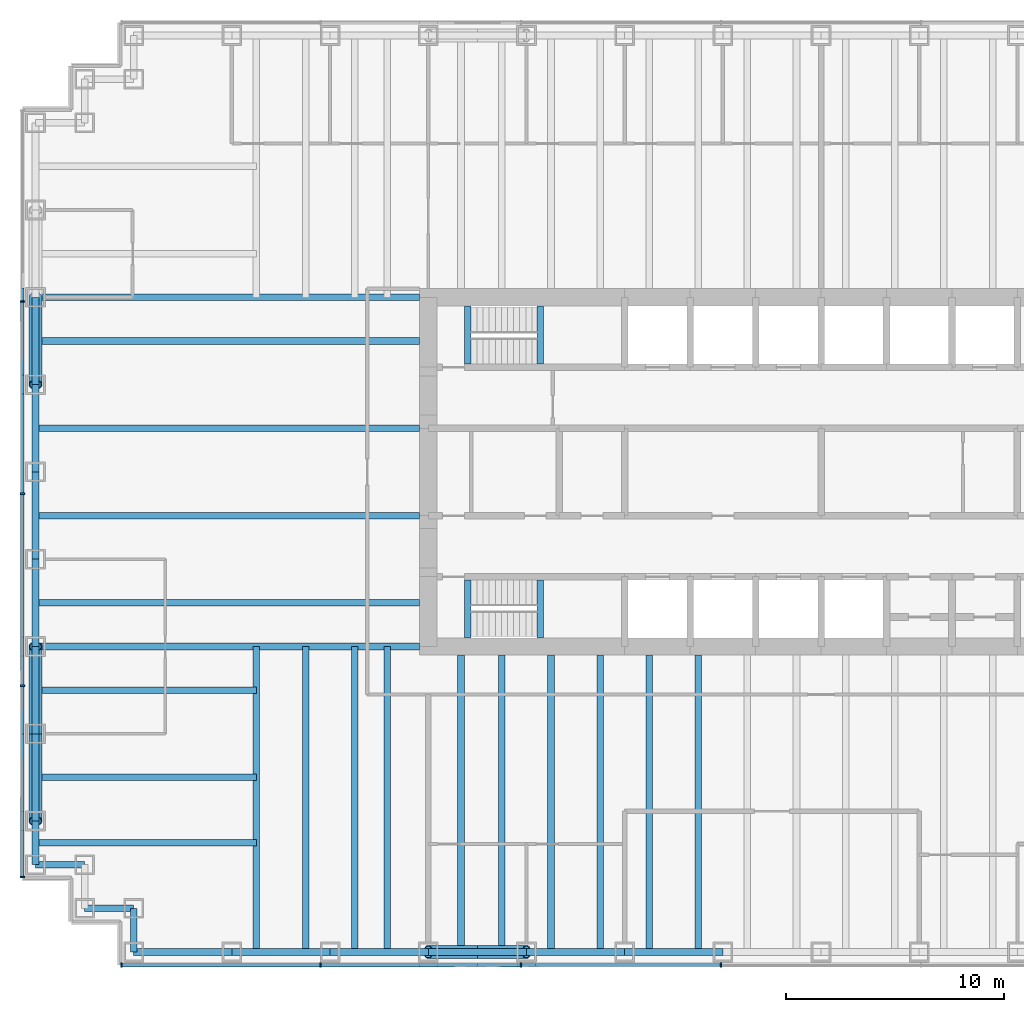
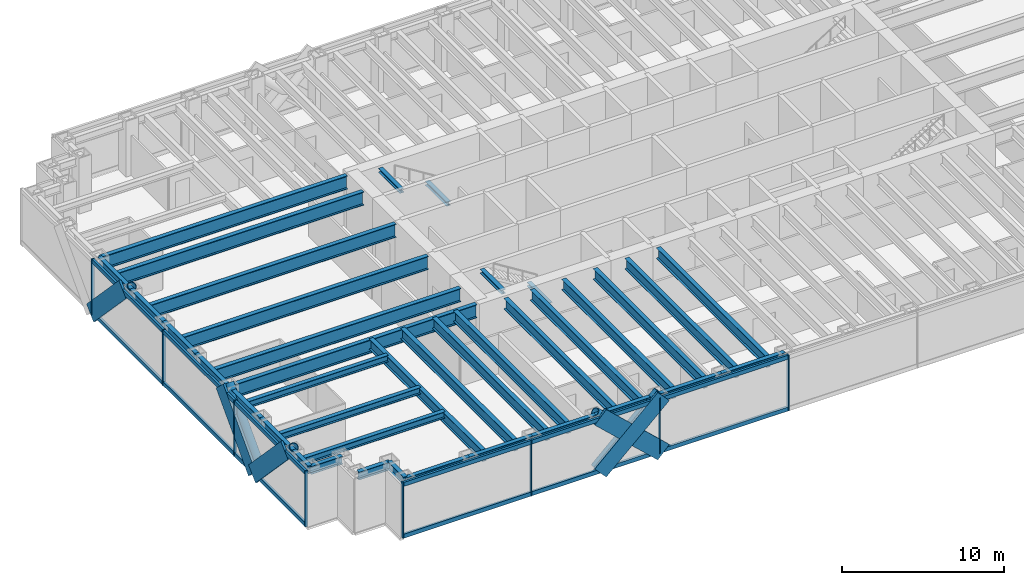
# One storey, part 2 of 17: 39 beams, 30 members, 2 elements without a shape of their own.
"""IFC4 building model written with IfcOpenShell, lengths in metres."""

from ifc_helpers import new_model, si_unit, direction, frame, origin, origin_2d, place, context, subcontext, project, spatial, rectangle, hollow_circle, i_section, extrude, material, material_profile, profile_set, type_object, element, aggregate, save


model = new_model("IFC4")

# Units and contexts
model_context = context("Model", 3, precision=1e-05, world=origin(), true_north=direction((0.0, 1.0)))
body_context = subcontext(model_context, "Body", "Model", "MODEL_VIEW")
ifc_project = project(units=[si_unit("LENGTHUNIT", "METRE"), si_unit("AREAUNIT", "SQUARE_METRE"), si_unit("VOLUMEUNIT", "CUBIC_METRE"), si_unit("PLANEANGLEUNIT", "RADIAN"), si_unit("MASSUNIT", "GRAM", prefix="KILO")], contexts=[model_context])

# Site, building, storey
site_placement = place(None, origin())
site = spatial("IfcSite", under=ifc_project, at=site_placement, CompositionType="ELEMENT")
building_placement = place(site_placement, origin())
building = spatial("IfcBuilding", under=site, at=building_placement, Name="Rheinbord Bourse Tower", CompositionType="ELEMENT")
storey_placement = place(building_placement, frame((0.0, 0.0, 227.800048828125)))
storey = spatial("IfcBuildingStorey", under=building, at=storey_placement, Name="L51", CompositionType="ELEMENT", Elevation=227.800048828125)

# Curtain wall, members
ifc_material_1 = material(Name="Dark glass and black aluminium", Category="aluminium")
curtain_wall_type = type_object("IfcCurtainWallType", Name="CW2 DARK GLASS CURTAIN WALL", PredefinedType="USERDEFINED", material=ifc_material_1)
curtain_wall_1_placement = place(storey_placement, origin())
curtain_wall_1 = element("IfcCurtainWall", 1, at=curtain_wall_1_placement, inside=storey, type_object=curtain_wall_type, Name="Curtain wall CW2 S L51", ObjectType="UNITISED CURTAIN WALL", PredefinedType="USERDEFINED")
ifc_material_2 = material(Name="Black anodised aluminium", Category="aluminium")
ifc_material_profile_1 = material_profile(ifc_material_2, rectangle(XDim=0.159912109375, YDim=1.2099609375, at=origin_2d()), Name="CW2 DIAGONAL MULLION 1210x160")
ifc_profile_set_1 = profile_set([ifc_material_profile_1], Name="Black anodised aluminium")
member_type_1 = type_object("IfcMemberType", Name="CW2 BLACK DIAGONAL MULLION", PredefinedType="USERDEFINED", material=ifc_profile_set_1)
member_1_placement = place(storey_placement, frame((22.5, 1.39990234375, 0.0), z_axis=(-0.73105922506, 0.0, 0.682314010889), x_axis=(0.0, -1.0, 0.0)))
member_1 = element("IfcMember", 2, at=member_1_placement, type_object=member_type_1, Name="CW2 diagonal mullion a", ObjectType="DIAGONAL MULLION", PredefinedType="USERDEFINED", context=body_context, shape_type="SweptSolid", body=[
    extrude(rectangle(XDim=0.159912109375, YDim=1.2099609375, at=origin_2d()), origin(), (0.0, 0.0, 1.0), 6.155517578125),
])
member_2_placement = place(storey_placement, frame((18.0, 1.39990234375, 0.0), z_axis=(0.73105922506, 0.0, 0.682314010889), x_axis=(0.0, 1.0, 0.0)))
member_2 = element("IfcMember", 3, at=member_2_placement, type_object=member_type_1, Name="CW2 diagonal mullion c", ObjectType="DIAGONAL MULLION", PredefinedType="USERDEFINED", context=body_context, shape_type="SweptSolid", body=[
    extrude(rectangle(XDim=0.159912109375, YDim=1.2099609375, at=origin_2d()), origin(), (0.0, 0.0, 1.0), 6.155517578125),
])

curtain_wall_2_placement = place(storey_placement, origin())
curtain_wall_2 = element("IfcCurtainWall", 4, at=curtain_wall_2_placement, inside=storey, type_object=curtain_wall_type, Name="Curtain wall CW2 W L51", ObjectType="UNITISED CURTAIN WALL", PredefinedType="USERDEFINED")
member_3_placement = place(storey_placement, frame((-0.60009765625, 12.0, 0.0), z_axis=(0.0, -0.689659376744, 0.724133926887), x_axis=(1.0, 0.0, 0.0)))
member_3 = element("IfcMember", 5, at=member_3_placement, type_object=member_type_1, Name="CW2 diagonal mullion a", ObjectType="DIAGONAL MULLION", PredefinedType="USERDEFINED", context=body_context, shape_type="SweptSolid", body=[
    extrude(rectangle(XDim=0.159912109375, YDim=1.2099609375, at=origin_2d()), origin(), (0.0, 0.0, 1.0), 5.800048828125),
])
member_4_placement = place(storey_placement, frame((-0.60009765625, 12.0, 0.0), z_axis=(0.0, 0.689659376744, 0.724133926887), x_axis=(-1.0, 0.0, 0.0)))
member_4 = element("IfcMember", 6, at=member_4_placement, type_object=member_type_1, Name="CW2 diagonal mullion c", ObjectType="DIAGONAL MULLION", PredefinedType="USERDEFINED", context=body_context, shape_type="SweptSolid", body=[
    extrude(rectangle(XDim=0.159912109375, YDim=1.2099609375, at=origin_2d()), origin(), (0.0, 0.0, 1.0), 5.800048828125),
])
member_5_placement = place(storey_placement, frame((-0.60009765625, 32.0, 0.0), z_axis=(0.0, -0.689659376744, 0.724133926887), x_axis=(1.0, 0.0, 0.0)))
member_5 = element("IfcMember", 7, at=member_5_placement, type_object=member_type_1, Name="CW2 diagonal mullion d", ObjectType="DIAGONAL MULLION", PredefinedType="USERDEFINED", context=body_context, shape_type="SweptSolid", body=[
    extrude(rectangle(XDim=0.159912109375, YDim=1.2099609375, at=origin_2d()), origin(), (0.0, 0.0, 1.0), 5.800048828125),
])

# Member
ifc_material_3 = material(Name="Black anodised aluminium", Category="aluminium")
ifc_material_profile_2 = material_profile(ifc_material_3, rectangle(XDim=0.219970703125, YDim=0.070068359375, at=origin_2d()), Name="CW2 MULLION 70x220")
ifc_profile_set_2 = profile_set([ifc_material_profile_2], Name="Black anodised aluminium")
member_type_2 = type_object("IfcMemberType", Name="CW2 BLACK MULLION", PredefinedType="MULLION", material=ifc_profile_set_2)
member_6_placement = place(storey_placement, frame((3.93505859375, 1.39990234375, 0.0), z_axis=(0.0, 0.0, 1.0), x_axis=(0.0, 1.0, 0.0)))
member_6 = element("IfcMember", 8, at=member_6_placement, type_object=member_type_2, Name="CW2 mullion 1", PredefinedType="MULLION", context=body_context, shape_type="SweptSolid", body=[
    extrude(rectangle(XDim=0.219970703125, YDim=0.070068359375, at=origin_2d()), origin(), (0.0, 0.0, 1.0), 4.199951171875),
])

member_7_placement = place(storey_placement, frame((13.071533203125, 1.39990234375, 0.0), z_axis=(0.0, 0.0, 1.0), x_axis=(0.0, 1.0, 0.0)))
member_7 = element("IfcMember", 9, at=member_7_placement, type_object=member_type_2, Name="CW2 mullion 2", PredefinedType="MULLION", context=body_context, shape_type="SweptSolid", body=[
    extrude(rectangle(XDim=0.219970703125, YDim=0.070068359375, at=origin_2d()), origin(), (0.0, 0.0, 1.0), 4.199951171875),
])

member_8_placement = place(storey_placement, frame((22.242919921875, 1.39990234375, 0.0), z_axis=(0.0, 0.0, 1.0), x_axis=(0.0, 1.0, 0.0)))
member_8 = element("IfcMember", 10, at=member_8_placement, type_object=member_type_2, Name="CW2 mullion 3", PredefinedType="MULLION", context=body_context, shape_type="SweptSolid", body=[
    extrude(rectangle(XDim=0.219970703125, YDim=0.070068359375, at=origin_2d()), origin(), (0.0, 0.0, 1.0), 4.199951171875),
])

member_9_placement = place(storey_placement, frame((31.414306640625, 1.39990234375, 0.0), z_axis=(0.0, 0.0, 1.0), x_axis=(0.0, 1.0, 0.0)))
member_9 = element("IfcMember", 11, at=member_9_placement, type_object=member_type_2, Name="CW2 mullion 4", PredefinedType="MULLION", context=body_context, shape_type="SweptSolid", body=[
    extrude(rectangle(XDim=0.219970703125, YDim=0.070068359375, at=origin_2d()), origin(), (0.0, 0.0, 1.0), 4.199951171875),
])

member_10_placement = place(storey_placement, frame((-0.60009765625, 31.800048828125, 0.0), z_axis=(0.0, 0.0, 1.0), x_axis=(1.0, 0.0, 0.0)))
member_10 = element("IfcMember", 12, at=member_10_placement, type_object=member_type_2, Name="CW2 mullion 2", PredefinedType="MULLION", context=body_context, shape_type="SweptSolid", body=[
    extrude(rectangle(XDim=0.219970703125, YDim=0.070068359375, at=origin_2d()), origin(), (0.0, 0.0, 1.0), 4.199951171875),
])

member_11_placement = place(storey_placement, frame((-0.60009765625, 23.0, 0.0), z_axis=(0.0, 0.0, 1.0), x_axis=(1.0, 0.0, 0.0)))
member_11 = element("IfcMember", 13, at=member_11_placement, type_object=member_type_2, Name="CW2 mullion 3", PredefinedType="MULLION", context=body_context, shape_type="SweptSolid", body=[
    extrude(rectangle(XDim=0.219970703125, YDim=0.070068359375, at=origin_2d()), origin(), (0.0, 0.0, 1.0), 4.199951171875),
])

member_12_placement = place(storey_placement, frame((-0.60009765625, 14.199951171875, 0.0), z_axis=(0.0, 0.0, 1.0), x_axis=(1.0, 0.0, 0.0)))
member_12 = element("IfcMember", 14, at=member_12_placement, type_object=member_type_2, Name="CW2 mullion 4", PredefinedType="MULLION", context=body_context, shape_type="SweptSolid", body=[
    extrude(rectangle(XDim=0.219970703125, YDim=0.070068359375, at=origin_2d()), origin(), (0.0, 0.0, 1.0), 4.199951171875),
])

member_13_placement = place(storey_placement, frame((-0.60009765625, 5.43505859375, 0.0), z_axis=(0.0, 0.0, 1.0), x_axis=(1.0, 0.0, 0.0)))
member_13 = element("IfcMember", 15, at=member_13_placement, type_object=member_type_2, Name="CW2 mullion 5", PredefinedType="MULLION", context=body_context, shape_type="SweptSolid", body=[
    extrude(rectangle(XDim=0.219970703125, YDim=0.070068359375, at=origin_2d()), origin(), (0.0, 0.0, 1.0), 4.199951171875),
])

ifc_material_4 = material(Name="Black anodised aluminium", Category="aluminium")
ifc_material_profile_3 = material_profile(ifc_material_4, rectangle(XDim=0.159912109375, YDim=0.300048828125, at=origin_2d()), Name="CW2 TRANSOM 300x160")
ifc_profile_set_3 = profile_set([ifc_material_profile_3], Name="Black anodised aluminium")
member_type_3 = type_object("IfcMemberType", Name="CW2 BLACK TRANSOM", PredefinedType="USERDEFINED", material=ifc_profile_set_3)
member_14_placement = place(storey_placement, frame((3.969970703125, 1.39990234375, 0.14990234375), z_axis=(1.0, 0.0, 0.0), x_axis=(0.0, 1.0, 0.0)))
member_14 = element("IfcMember", 16, at=member_14_placement, type_object=member_type_3, Name="CW2 transom 1.1", ObjectType="TRANSOM", PredefinedType="USERDEFINED", context=body_context, shape_type="SweptSolid", body=[
    extrude(rectangle(XDim=0.159912109375, YDim=0.300048828125, at=origin_2d()), origin(), (0.0, 0.0, 1.0), 9.06640625),
])

member_15_placement = place(storey_placement, frame((3.969970703125, 1.39990234375, 4.050048828125), z_axis=(1.0, 0.0, 0.0), x_axis=(0.0, 1.0, 0.0)))
member_15 = element("IfcMember", 17, at=member_15_placement, type_object=member_type_3, Name="CW2 transom 1.2", ObjectType="TRANSOM", PredefinedType="USERDEFINED", context=body_context, shape_type="SweptSolid", body=[
    extrude(rectangle(XDim=0.159912109375, YDim=0.300048828125, at=origin_2d()), origin(), (0.0, 0.0, 1.0), 9.06640625),
])

member_16_placement = place(storey_placement, frame((13.1064453125, 1.39990234375, 0.14990234375), z_axis=(1.0, 0.0, 0.0), x_axis=(0.0, 1.0, 0.0)))
member_16 = element("IfcMember", 18, at=member_16_placement, type_object=member_type_3, Name="CW2 transom 2.1", ObjectType="TRANSOM", PredefinedType="USERDEFINED", context=body_context, shape_type="SweptSolid", body=[
    extrude(rectangle(XDim=0.159912109375, YDim=0.300048828125, at=origin_2d()), origin(), (0.0, 0.0, 1.0), 9.101318359375),
])

member_17_placement = place(storey_placement, frame((13.1064453125, 1.39990234375, 4.050048828125), z_axis=(1.0, 0.0, 0.0), x_axis=(0.0, 1.0, 0.0)))
member_17 = element("IfcMember", 19, at=member_17_placement, type_object=member_type_3, Name="CW2 transom 2.2", ObjectType="TRANSOM", PredefinedType="USERDEFINED", context=body_context, shape_type="SweptSolid", body=[
    extrude(rectangle(XDim=0.159912109375, YDim=0.300048828125, at=origin_2d()), origin(), (0.0, 0.0, 1.0), 9.101318359375),
])

member_18_placement = place(storey_placement, frame((22.27783203125, 1.39990234375, 0.14990234375), z_axis=(1.0, 0.0, 0.0), x_axis=(0.0, 1.0, 0.0)))
member_18 = element("IfcMember", 20, at=member_18_placement, type_object=member_type_3, Name="CW2 transom 3.1", ObjectType="TRANSOM", PredefinedType="USERDEFINED", context=body_context, shape_type="SweptSolid", body=[
    extrude(rectangle(XDim=0.159912109375, YDim=0.300048828125, at=origin_2d()), origin(), (0.0, 0.0, 1.0), 9.1015625),
])

member_19_placement = place(storey_placement, frame((22.27783203125, 1.39990234375, 4.050048828125), z_axis=(1.0, 0.0, 0.0), x_axis=(0.0, 1.0, 0.0)))
member_19 = element("IfcMember", 21, at=member_19_placement, type_object=member_type_3, Name="CW2 transom 3.2", ObjectType="TRANSOM", PredefinedType="USERDEFINED", context=body_context, shape_type="SweptSolid", body=[
    extrude(rectangle(XDim=0.159912109375, YDim=0.300048828125, at=origin_2d()), origin(), (0.0, 0.0, 1.0), 9.1015625),
])

aggregate(curtain_wall_1, [member_6, member_7, member_8, member_9, member_14, member_15, member_16, member_17, member_18, member_19, member_1, member_2])

member_20_placement = place(storey_placement, frame((-0.60009765625, 31.764892578125, 0.14990234375), z_axis=(0.0, -1.0, 0.0), x_axis=(1.0, 0.0, 0.0)))
member_20 = element("IfcMember", 22, at=member_20_placement, type_object=member_type_3, Name="CW2 transom 2.1", ObjectType="TRANSOM", PredefinedType="USERDEFINED", context=body_context, shape_type="SweptSolid", body=[
    extrude(rectangle(XDim=0.159912109375, YDim=0.300048828125, at=origin_2d()), origin(), (0.0, 0.0, 1.0), 8.72998046875),
])

member_21_placement = place(storey_placement, frame((-0.60009765625, 31.764892578125, 4.050048828125), z_axis=(0.0, -1.0, 0.0), x_axis=(1.0, 0.0, 0.0)))
member_21 = element("IfcMember", 23, at=member_21_placement, type_object=member_type_3, Name="CW2 transom 2.2", ObjectType="TRANSOM", PredefinedType="USERDEFINED", context=body_context, shape_type="SweptSolid", body=[
    extrude(rectangle(XDim=0.159912109375, YDim=0.300048828125, at=origin_2d()), origin(), (0.0, 0.0, 1.0), 8.72998046875),
])

member_22_placement = place(storey_placement, frame((-0.60009765625, 22.965087890625, 0.14990234375), z_axis=(0.0, -1.0, 0.0), x_axis=(1.0, 0.0, 0.0)))
member_22 = element("IfcMember", 24, at=member_22_placement, type_object=member_type_3, Name="CW2 transom 3.1", ObjectType="TRANSOM", PredefinedType="USERDEFINED", context=body_context, shape_type="SweptSolid", body=[
    extrude(rectangle(XDim=0.159912109375, YDim=0.300048828125, at=origin_2d()), origin(), (0.0, 0.0, 1.0), 8.72998046875),
])

member_23_placement = place(storey_placement, frame((-0.60009765625, 22.965087890625, 4.050048828125), z_axis=(0.0, -1.0, 0.0), x_axis=(1.0, 0.0, 0.0)))
member_23 = element("IfcMember", 25, at=member_23_placement, type_object=member_type_3, Name="CW2 transom 3.2", ObjectType="TRANSOM", PredefinedType="USERDEFINED", context=body_context, shape_type="SweptSolid", body=[
    extrude(rectangle(XDim=0.159912109375, YDim=0.300048828125, at=origin_2d()), origin(), (0.0, 0.0, 1.0), 8.72998046875),
])

member_24_placement = place(storey_placement, frame((-0.60009765625, 14.1650390625, 0.14990234375), z_axis=(0.0, -1.0, 0.0), x_axis=(1.0, 0.0, 0.0)))
member_24 = element("IfcMember", 26, at=member_24_placement, type_object=member_type_3, Name="CW2 transom 4.1", ObjectType="TRANSOM", PredefinedType="USERDEFINED", context=body_context, shape_type="SweptSolid", body=[
    extrude(rectangle(XDim=0.159912109375, YDim=0.300048828125, at=origin_2d()), origin(), (0.0, 0.0, 1.0), 8.695068359375),
])

member_25_placement = place(storey_placement, frame((-0.60009765625, 14.1650390625, 4.050048828125), z_axis=(0.0, -1.0, 0.0), x_axis=(1.0, 0.0, 0.0)))
member_25 = element("IfcMember", 27, at=member_25_placement, type_object=member_type_3, Name="CW2 transom 4.2", ObjectType="TRANSOM", PredefinedType="USERDEFINED", context=body_context, shape_type="SweptSolid", body=[
    extrude(rectangle(XDim=0.159912109375, YDim=0.300048828125, at=origin_2d()), origin(), (0.0, 0.0, 1.0), 8.695068359375),
])

aggregate(curtain_wall_2, [member_10, member_11, member_12, member_13, member_20, member_21, member_22, member_23, member_24, member_25, member_3, member_4, member_5])

# Beams
ifc_material_5 = material(Name="Steel S460", Category="steel")
ifc_material_profile_4 = material_profile(ifc_material_5, i_section(OverallWidth=0.302001953125, OverallDepth=1.008056640625, WebThickness=0.02099609375, FlangeThickness=0.0400390625, at=origin_2d()), Name="HEM 1000")
ifc_profile_set_4 = profile_set([ifc_material_profile_4], Name="Steel S460")
beam_type_1 = type_object("IfcBeamType", Name="END BEAM HEM 1000", PredefinedType="BEAM", material=ifc_profile_set_4)
for number, where, z_axis, x_axis, name in (
    (28, (0.0, 18.0, 3.535888671875), (1.0, 0.0, 0.0), (0.0, 1.0, 0.0), "End beam west 18 L52"),
    (29, (0.0, 22.0, 3.535888671875), (1.0, 0.0, 0.0), (0.0, 1.0, 0.0), "End beam west 22 L52"),
    (30, (0.0, 26.0, 3.535888671875), (1.0, 0.0, 0.0), (0.0, 1.0, 0.0), "End beam west 26 L52"),
    (31, (0.0, 30.0, 3.535888671875), (1.0, 0.0, 0.0), (0.0, 1.0, 0.0), "End beam west 30 L52"),
):
    element("IfcBeam", number, at=place(storey_placement, frame(where, z_axis=z_axis, x_axis=x_axis)), inside=storey, type_object=beam_type_1, Name=name, PredefinedType="BEAM", context=body_context, shape_type="SweptSolid", body=[
        extrude(i_section(OverallWidth=0.302001953125, OverallDepth=1.008056640625, WebThickness=0.02099609375, FlangeThickness=0.0400390625, at=origin_2d()), origin(), (0.0, 0.0, 1.0), 17.60009765625),
    ])
ifc_material_6 = material(Name="Steel S460", Category="steel")
ifc_material_profile_5 = material_profile(ifc_material_6, i_section(OverallWidth=0.300048828125, OverallDepth=0.800048828125, WebThickness=0.017578125, FlangeThickness=0.032958984375, at=origin_2d()), Name="HEB 800")
ifc_profile_set_5 = profile_set([ifc_material_profile_5], Name="Steel S460")
beam_type_2 = type_object("IfcBeamType", Name="FLOOR BEAM HEB 800", PredefinedType="BEAM", material=ifc_profile_set_5)
for number, where, z_axis, x_axis, name in (
    (32, (10.125, 2.0, 3.639892578125), (0.0, 1.0, 0.0), (-1.0, 0.0, 0.0), "Floor beam S-9a L52"),
    (33, (12.375, 2.0, 3.639892578125), (0.0, 1.0, 0.0), (-1.0, 0.0, 0.0), "Floor beam S-9b L52"),
    (34, (14.625, 2.0, 3.639892578125), (0.0, 1.0, 0.0), (-1.0, 0.0, 0.0), "Floor beam S-13.5a L52"),
    (35, (16.125, 2.0, 3.639892578125), (0.0, 1.0, 0.0), (-1.0, 0.0, 0.0), "Floor beam S-13.5b L52"),
):
    element("IfcBeam", number, at=place(storey_placement, frame(where, z_axis=z_axis, x_axis=x_axis)), inside=storey, type_object=beam_type_2, Name=name, PredefinedType="BEAM", context=body_context, shape_type="SweptSolid", body=[
        extrude(i_section(OverallWidth=0.300048828125, OverallDepth=0.800048828125, WebThickness=0.017578125, FlangeThickness=0.032958984375, at=origin_2d()), origin(), (0.0, 0.0, 1.0), 14.0),
    ])
for number, where, z_axis, x_axis, name in (
    (36, (19.5, 2.0, 3.639892578125), (0.0, 1.0, 0.0), (-1.0, 0.0, 0.0), "Floor beam S-18a L52"),
    (37, (21.375, 2.0, 3.639892578125), (0.0, 1.0, 0.0), (-1.0, 0.0, 0.0), "Floor beam S-18b L52"),
    (38, (23.625, 2.0, 3.639892578125), (0.0, 1.0, 0.0), (-1.0, 0.0, 0.0), "Floor beam S-22.5a L52"),
    (39, (25.875, 2.0, 3.639892578125), (0.0, 1.0, 0.0), (-1.0, 0.0, 0.0), "Floor beam S-22.5b L52"),
    (40, (28.125, 2.0, 3.639892578125), (0.0, 1.0, 0.0), (-1.0, 0.0, 0.0), "Floor beam S-27a L52"),
    (41, (30.375, 2.0, 3.639892578125), (0.0, 1.0, 0.0), (-1.0, 0.0, 0.0), "Floor beam S-27b L52"),
):
    element("IfcBeam", number, at=place(storey_placement, frame(where, z_axis=z_axis, x_axis=x_axis)), inside=storey, type_object=beam_type_2, Name=name, PredefinedType="BEAM", context=body_context, shape_type="SweptSolid", body=[
        extrude(i_section(OverallWidth=0.300048828125, OverallDepth=0.800048828125, WebThickness=0.017578125, FlangeThickness=0.032958984375, at=origin_2d()), origin(), (0.0, 0.0, 1.0), 13.60009765625),
    ])
ifc_material_7 = material(Name="Steel S460", Category="steel")
ifc_material_profile_6 = material_profile(ifc_material_7, i_section(OverallWidth=0.302001953125, OverallDepth=1.008056640625, WebThickness=0.02099609375, FlangeThickness=0.0400390625, at=origin_2d()), Name="HEM 1000")
ifc_profile_set_6 = profile_set([ifc_material_profile_6], Name="Steel S460")
beam_type_3 = type_object("IfcBeamType", Name="GIRDER HEM 1000", PredefinedType="BEAM", material=ifc_profile_set_6)
for number, where, z_axis, x_axis, name in (
    (42, (0.0, 16.0, 3.535888671875), (1.0, 0.0, 0.0), (0.0, 1.0, 0.0), "Girder west 16 L52"),
    (43, (0.0, 32.0, 3.535888671875), (1.0, 0.0, 0.0), (0.0, 1.0, 0.0), "Girder west 32 L52"),
):
    element("IfcBeam", number, at=place(storey_placement, frame(where, z_axis=z_axis, x_axis=x_axis)), inside=storey, type_object=beam_type_3, Name=name, PredefinedType="BEAM", context=body_context, shape_type="SweptSolid", body=[
        extrude(i_section(OverallWidth=0.302001953125, OverallDepth=1.008056640625, WebThickness=0.02099609375, FlangeThickness=0.0400390625, at=origin_2d()), origin(), (0.0, 0.0, 1.0), 17.60009765625),
    ])
ifc_material_8 = material(Name="Steel S460", Category="steel")
ifc_material_profile_7 = material_profile(ifc_material_8, i_section(OverallWidth=0.300048828125, OverallDepth=0.300048828125, WebThickness=0.010986328125, FlangeThickness=0.01904296875, at=origin_2d()), Name="HEB 300")
ifc_profile_set_7 = profile_set([ifc_material_profile_7], Name="Steel S460")
beam_type_4 = type_object("IfcBeamType", Name="LANDING TRIMMER HEB 300", PredefinedType="BEAM", material=ifc_profile_set_7)
for number, where, z_axis, x_axis, name in (
    (44, (23.1298828125, 16.39990234375, 1.75), (0.0, 1.0, 0.0), (-1.0, 0.0, 0.0), "Landing trimmer ST1 L51"),
    (45, (19.800048828125, 16.39990234375, 3.889892578125), (0.0, 1.0, 0.0), (-1.0, 0.0, 0.0), "Well trimmer ST1 under L52"),
    (46, (23.1298828125, 28.949951171875, 1.75), (0.0, 1.0, 0.0), (-1.0, 0.0, 0.0), "Landing trimmer ST2 L51"),
    (47, (19.800048828125, 28.949951171875, 3.889892578125), (0.0, 1.0, 0.0), (-1.0, 0.0, 0.0), "Well trimmer ST2 under L52"),
):
    element("IfcBeam", number, at=place(storey_placement, frame(where, z_axis=z_axis, x_axis=x_axis)), inside=storey, type_object=beam_type_4, Name=name, PredefinedType="BEAM", context=body_context, shape_type="SweptSolid", body=[
        extrude(i_section(OverallWidth=0.300048828125, OverallDepth=0.300048828125, WebThickness=0.010986328125, FlangeThickness=0.01904296875, at=origin_2d()), origin(), (0.0, 0.0, 1.0), 2.650146484375),
    ])

# Members
ifc_material_9 = material(Name="Steel S460", Category="steel")
ifc_material_profile_8 = material_profile(ifc_material_9, hollow_circle(Radius=0.304931640625, WallThickness=0.0400390625, at=origin_2d()), Name="CHS 610x40")
ifc_profile_set_8 = profile_set([ifc_material_profile_8], Name="Steel S460")
member_type_4 = type_object("IfcMemberType", Name="MEGABRACE CHS 610x40", PredefinedType="BRACE", material=ifc_profile_set_8)
for number, where, z_axis, x_axis, name in (
    (48, (22.5, 2.0, 0.0), (-0.73105922506, 0.0, 0.682314010889), (0.0, -1.0, 0.0), "Megabrace S face line a L51"),
    (49, (18.0, 2.0, 0.0), (0.73105922506, 0.0, 0.682314010889), (0.0, 1.0, 0.0), "Megabrace S face line c L51"),
):
    element("IfcMember", number, at=place(storey_placement, frame(where, z_axis=z_axis, x_axis=x_axis)), inside=storey, type_object=member_type_4, Name=name, PredefinedType="BRACE", context=body_context, shape_type="SweptSolid", body=[
        extrude(hollow_circle(Radius=0.304931640625, WallThickness=0.0400390625, at=origin_2d()), origin(), (0.0, 0.0, 1.0), 6.155517578125),
    ])
for number, where, z_axis, x_axis, name in (
    (50, (0.0, 12.0, 0.0), (0.0, -0.689659376744, 0.724133926887), (1.0, 0.0, 0.0), "Megabrace W face line a L51"),
    (51, (0.0, 12.0, 0.0), (0.0, 0.689659376744, 0.724133926887), (-1.0, 0.0, 0.0), "Megabrace W face line c L51"),
    (52, (0.0, 32.0, 0.0), (0.0, -0.689659376744, 0.724133926887), (1.0, 0.0, 0.0), "Megabrace W face line d L51"),
):
    element("IfcMember", number, at=place(storey_placement, frame(where, z_axis=z_axis, x_axis=x_axis)), inside=storey, type_object=member_type_4, Name=name, PredefinedType="BRACE", context=body_context, shape_type="SweptSolid", body=[
        extrude(hollow_circle(Radius=0.304931640625, WallThickness=0.0400390625, at=origin_2d()), origin(), (0.0, 0.0, 1.0), 5.800048828125),
    ])

# Beams
ifc_material_10 = material(Name="Steel S460", Category="steel")
ifc_material_profile_9 = material_profile(ifc_material_10, i_section(OverallWidth=0.300048828125, OverallDepth=0.60009765625, WebThickness=0.015380859375, FlangeThickness=0.030029296875, at=origin_2d()), Name="HEB 600")
ifc_profile_set_9 = profile_set([ifc_material_profile_9], Name="Steel S460")
beam_type_5 = type_object("IfcBeamType", Name="SPANDREL HEB 600", PredefinedType="SPANDREL", material=ifc_profile_set_9)
for number, where, z_axis, x_axis, name in (
    (53, (4.5, 2.0, 3.739990234375), (1.0, 0.0, 0.0), (0.0, 1.0, 0.0), "Spandrel SW-E-S-9 under L52"),
    (54, (9.0, 2.0, 3.739990234375), (1.0, 0.0, 0.0), (0.0, 1.0, 0.0), "Spandrel S-9-S-13.5 under L52"),
    (55, (13.5, 2.0, 3.739990234375), (1.0, 0.0, 0.0), (0.0, 1.0, 0.0), "Spandrel S-13.5-S-18 under L52"),
    (56, (18.0, 2.0, 3.739990234375), (1.0, 0.0, 0.0), (0.0, 1.0, 0.0), "Spandrel S-18-S-22.5 under L52"),
    (57, (22.5, 2.0, 3.739990234375), (1.0, 0.0, 0.0), (0.0, 1.0, 0.0), "Spandrel S-22.5-S-27 under L52"),
    (58, (27.0, 2.0, 3.739990234375), (1.0, 0.0, 0.0), (0.0, 1.0, 0.0), "Spandrel S-27-S-31.5 under L52"),
):
    element("IfcBeam", number, at=place(storey_placement, frame(where, z_axis=z_axis, x_axis=x_axis)), inside=storey, type_object=beam_type_5, Name=name, PredefinedType="SPANDREL", context=body_context, shape_type="SweptSolid", body=[
        extrude(i_section(OverallWidth=0.300048828125, OverallDepth=0.60009765625, WebThickness=0.015380859375, FlangeThickness=0.030029296875, at=origin_2d()), origin(), (0.0, 0.0, 1.0), 4.5),
    ])
for number, where, z_axis, x_axis, name in (
    (59, (0.0, 32.0, 3.739990234375), (0.0, -1.0, 0.0), (1.0, 0.0, 0.0), "Spandrel W-32-W-28 under L52"),
    (60, (0.0, 28.0, 3.739990234375), (0.0, -1.0, 0.0), (1.0, 0.0, 0.0), "Spandrel W-28-W-24 under L52"),
    (61, (0.0, 24.0, 3.739990234375), (0.0, -1.0, 0.0), (1.0, 0.0, 0.0), "Spandrel W-24-W-20 under L52"),
    (62, (0.0, 20.0, 3.739990234375), (0.0, -1.0, 0.0), (1.0, 0.0, 0.0), "Spandrel W-20-W-16 under L52"),
    (63, (0.0, 16.0, 3.739990234375), (0.0, -1.0, 0.0), (1.0, 0.0, 0.0), "Spandrel W-16-W-12 under L52"),
    (64, (0.0, 12.0, 3.739990234375), (0.0, -1.0, 0.0), (1.0, 0.0, 0.0), "Spandrel W-12-W-8 under L52"),
):
    element("IfcBeam", number, at=place(storey_placement, frame(where, z_axis=z_axis, x_axis=x_axis)), inside=storey, type_object=beam_type_5, Name=name, PredefinedType="SPANDREL", context=body_context, shape_type="SweptSolid", body=[
        extrude(i_section(OverallWidth=0.300048828125, OverallDepth=0.60009765625, WebThickness=0.015380859375, FlangeThickness=0.030029296875, at=origin_2d()), origin(), (0.0, 0.0, 1.0), 4.0),
    ])
beam_1_placement = place(storey_placement, frame((0.0, 8.0, 3.739990234375), z_axis=(0.0, -1.0, 0.0), x_axis=(1.0, 0.0, 0.0)))
element("IfcBeam", 65, at=beam_1_placement, inside=storey, type_object=beam_type_5, Name="Spandrel W-8-SW-A under L52", PredefinedType="SPANDREL", context=body_context, shape_type="SweptSolid", body=[
    extrude(i_section(OverallWidth=0.300048828125, OverallDepth=0.60009765625, WebThickness=0.015380859375, FlangeThickness=0.030029296875, at=origin_2d()), origin(), (0.0, 0.0, 1.0), 2.0),
])
for number, where, z_axis, x_axis, name in (
    (66, (0.0, 6.0, 3.739990234375), (1.0, 0.0, 0.0), (0.0, 1.0, 0.0), "Spandrel SW-A-SW-B under L52"),
    (67, (2.25, 4.0, 3.739990234375), (1.0, 0.0, 0.0), (0.0, 1.0, 0.0), "Spandrel SW-C-SW-D under L52"),
):
    element("IfcBeam", number, at=place(storey_placement, frame(where, z_axis=z_axis, x_axis=x_axis)), inside=storey, type_object=beam_type_5, Name=name, PredefinedType="SPANDREL", context=body_context, shape_type="SweptSolid", body=[
        extrude(i_section(OverallWidth=0.300048828125, OverallDepth=0.60009765625, WebThickness=0.015380859375, FlangeThickness=0.030029296875, at=origin_2d()), origin(), (0.0, 0.0, 1.0), 2.25),
    ])
beam_2_placement = place(storey_placement, frame((4.5, 4.0, 3.739990234375), z_axis=(0.0, -1.0, 0.0), x_axis=(1.0, 0.0, 0.0)))
element("IfcBeam", 68, at=beam_2_placement, inside=storey, type_object=beam_type_5, Name="Spandrel SW-D-SW-E under L52", PredefinedType="SPANDREL", context=body_context, shape_type="SweptSolid", body=[
    extrude(i_section(OverallWidth=0.300048828125, OverallDepth=0.60009765625, WebThickness=0.015380859375, FlangeThickness=0.030029296875, at=origin_2d()), origin(), (0.0, 0.0, 1.0), 2.0),
])
ifc_material_11 = material(Name="Steel S460", Category="steel")
ifc_material_profile_10 = material_profile(ifc_material_11, i_section(OverallWidth=0.300048828125, OverallDepth=0.5, WebThickness=0.014404296875, FlangeThickness=0.028076171875, at=origin_2d()), Name="HEB 500")
ifc_profile_set_10 = profile_set([ifc_material_profile_10], Name="Steel S460")
beam_type_6 = type_object("IfcBeamType", Name="TIE BEAM HEB 500", PredefinedType="JOIST", material=ifc_profile_set_10)
for number, where, z_axis, x_axis, name in (
    (69, (0.0, 7.0, 3.7900390625), (1.0, 0.0, 0.0), (0.0, 1.0, 0.0), "Tie west 7 L52"),
    (70, (0.0, 10.0, 3.7900390625), (1.0, 0.0, 0.0), (0.0, 1.0, 0.0), "Tie west 10 L52"),
    (71, (0.0, 14.0, 3.7900390625), (1.0, 0.0, 0.0), (0.0, 1.0, 0.0), "Tie west 14 L52"),
):
    element("IfcBeam", number, at=place(storey_placement, frame(where, z_axis=z_axis, x_axis=x_axis)), inside=storey, type_object=beam_type_6, Name=name, PredefinedType="JOIST", context=body_context, shape_type="SweptSolid", body=[
        extrude(i_section(OverallWidth=0.300048828125, OverallDepth=0.5, WebThickness=0.014404296875, FlangeThickness=0.028076171875, at=origin_2d()), origin(), (0.0, 0.0, 1.0), 10.125),
    ])

save(model, "model.ifc")
